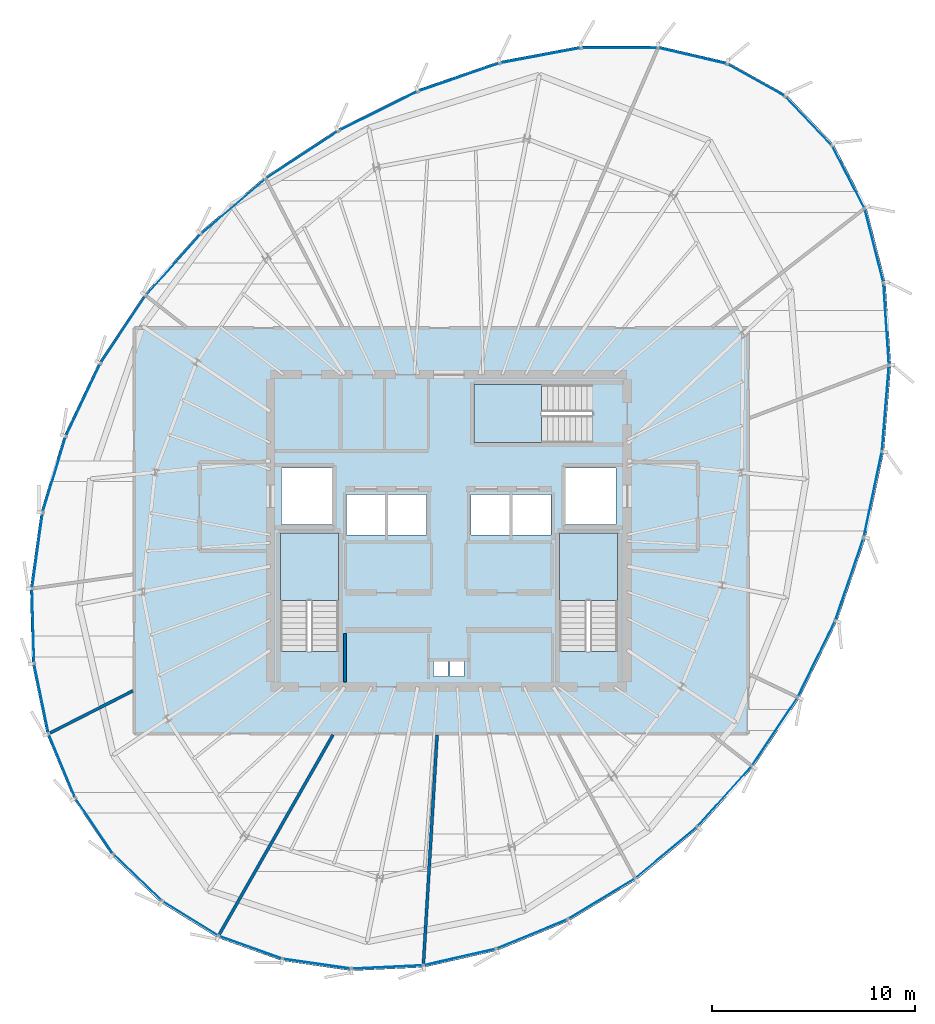
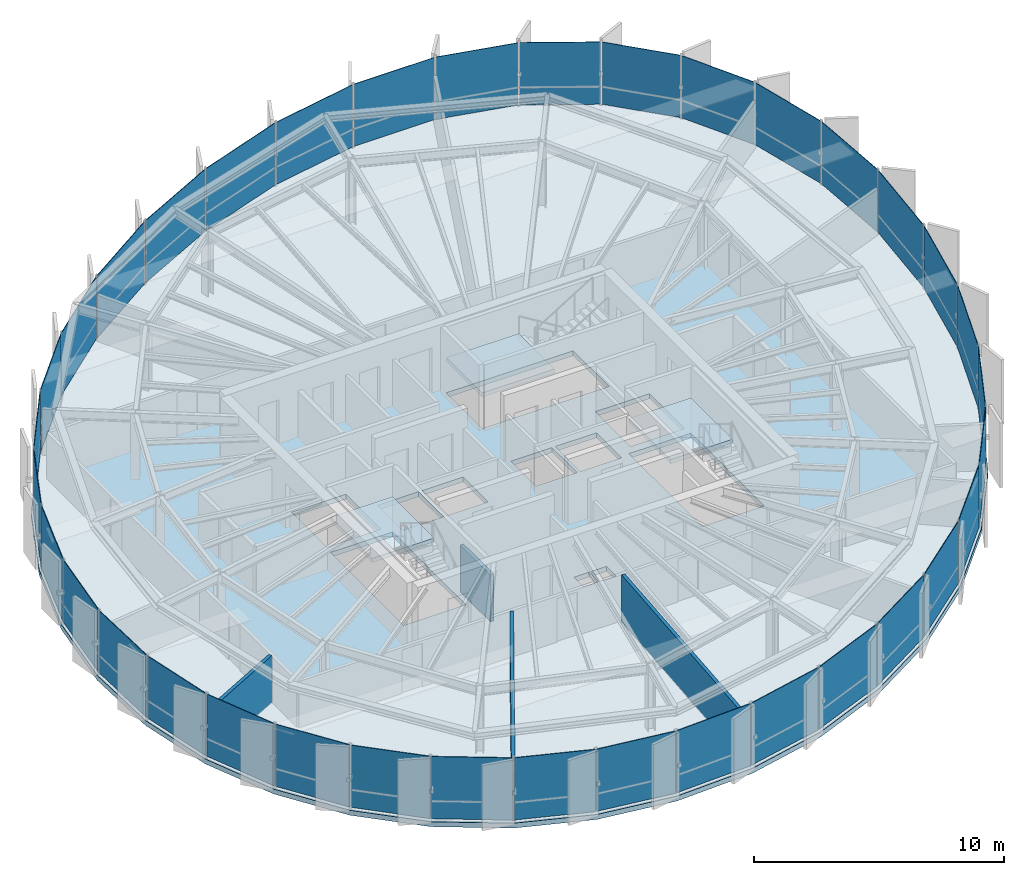
# One storey, part 28 of 35: 36 plates, 4 slabs, 4 walls, 9 elements without a shape of their own.
"""IFC4 building model written with IfcOpenShell, lengths in metres."""

from ifc_helpers import new_model, si_unit, direction, frame, frame_2d, origin, origin_2d, place, context, subcontext, project, spatial, polyline, rectangle, outline, extrude, source, transform, mapped, material, layer, layer_set, type_object, element, aggregate, save


model = new_model("IFC4")

# Units and contexts
model_context = context("Model", 3, precision=1e-05, world=origin(), true_north=direction((0.0, 1.0)))
body_context = subcontext(model_context, "Body", "Model", "MODEL_VIEW")
ifc_project = project(units=[si_unit("LENGTHUNIT", "METRE"), si_unit("AREAUNIT", "SQUARE_METRE"), si_unit("VOLUMEUNIT", "CUBIC_METRE"), si_unit("PLANEANGLEUNIT", "RADIAN"), si_unit("MASSUNIT", "GRAM", prefix="KILO"), si_unit("THERMODYNAMICTEMPERATUREUNIT", "KELVIN")], contexts=[model_context])

# Site, building, storey
site_placement = place(None, origin())
site = spatial("IfcSite", under=ifc_project, at=site_placement, CompositionType="ELEMENT")
building_placement = place(site_placement, origin())
building = spatial("IfcBuilding", under=site, at=building_placement, Name="Kethvar Cultural Tower", CompositionType="ELEMENT")
storey_placement = place(building_placement, frame((0.0, 0.0, 245.64990234375)))
storey = spatial("IfcBuildingStorey", under=building, at=storey_placement, Name="L64", CompositionType="ELEMENT", Elevation=245.64990234375)

# Stair, slab
ifc_material_1 = material(Name="Concrete C40/50", Category="concrete")
stair_type = type_object("IfcStairType", Name="ST-DOGLEG-135", PredefinedType="HALF_TURN_STAIR", material=ifc_material_1)
stair_1_placement = place(storey_placement, origin())
stair_1 = element("IfcStair", 1, at=stair_1_placement, inside=storey, type_object=stair_type, Name="L64 Core Exit Stair 1", PredefinedType="HALF_TURN_STAIR")
ifc_layer_1 = layer(ifc_material_1, 0.199951171875, Name="Concrete C40/50", Category="concrete")
ifc_layer_set_1 = layer_set([ifc_layer_1], Name="Concrete C40/50 (200 mm)")
slab_type_1 = type_object("IfcSlabType", Name="SL-STAIR-LANDING-200", PredefinedType="LANDING", material=ifc_layer_set_1)
slab_1_placement = place(storey_placement, frame((0.0, 0.0, 1.525146484375)))
slab_1 = element("IfcSlab", 2, at=slab_1_placement, type_object=slab_type_1, Name="ST-01 landing 1", PredefinedType="LANDING", context=body_context, shape_type="SweptSolid", body=[
    extrude(outline(polyline([(41.35009765625, 24.3701171875), (41.35009765625, 27.699951171875), (38.489990234375, 27.699951171875), (38.489990234375, 24.3701171875), (41.35009765625, 24.3701171875)])), origin(), (0.0, 0.0, 1.0), 0.199951171875),
])
aggregate(stair_1, [slab_1])

stair_2_placement = place(storey_placement, origin())
stair_2 = element("IfcStair", 3, at=stair_2_placement, inside=storey, type_object=stair_type, Name="L64 Core Exit Stair 2", PredefinedType="HALF_TURN_STAIR")
slab_2_placement = place(storey_placement, frame((0.0, 0.0, 1.525146484375)))
slab_2 = element("IfcSlab", 4, at=slab_2_placement, type_object=slab_type_1, Name="ST-02 landing 1", PredefinedType="LANDING", context=body_context, shape_type="SweptSolid", body=[
    extrude(outline(polyline([(55.110107421875, 24.3701171875), (55.110107421875, 27.699951171875), (52.25, 27.699951171875), (52.25, 24.3701171875), (55.110107421875, 24.3701171875)])), origin(), (0.0, 0.0, 1.0), 0.199951171875),
])
aggregate(stair_2, [slab_2])

stair_3_placement = place(storey_placement, origin())
stair_3 = element("IfcStair", 5, at=stair_3_placement, inside=storey, type_object=stair_type, Name="L64 Core Exit Stair 3", PredefinedType="HALF_TURN_STAIR")
slab_3_placement = place(storey_placement, frame((0.0, 0.0, 1.525146484375)))
slab_3 = element("IfcSlab", 6, at=slab_3_placement, type_object=slab_type_1, Name="ST-03 landing 1", PredefinedType="LANDING", context=body_context, shape_type="SweptSolid", body=[
    extrude(outline(polyline([(51.3798828125, 35.010009765625), (48.050048828125, 35.010009765625), (48.050048828125, 32.14990234375), (51.3798828125, 32.14990234375), (51.3798828125, 35.010009765625)])), origin(), (0.0, 0.0, 1.0), 0.199951171875),
])
aggregate(stair_3, [slab_3])

# Slab
ifc_layer_2 = layer(ifc_material_1, 0.239990234375, Name="Concrete C40/50", Category="concrete")
ifc_layer_set_2 = layer_set([ifc_layer_2], Name="Concrete C40/50 (240 mm)")
slab_type_2 = type_object("IfcSlabType", Name="SL-TOW-240", PredefinedType="FLOOR", material=ifc_layer_set_2)
slab_4_placement = place(storey_placement, frame((0.0, 0.0, -0.239990234375)))
element("IfcSlab", 7, at=slab_4_placement, inside=storey, type_object=slab_type_2, Name="L64 Structural Floor Slab", PredefinedType="FLOOR", context=body_context, shape_type="SweptSolid", body=[
    extrude(outline(polyline([(63.470703125, 49.291748046875), (60.55322265625, 50.918701171875), (57.12060546875, 51.718017578125), (53.3115234375, 51.70947265625), (49.292236328125, 50.95849609375), (45.240234375, 49.5595703125), (41.328857421875, 47.619140625), (37.709716796875, 45.239501953125), (34.500732421875, 42.502197265625), (31.7724609375, 39.45654296875), (29.53173828125, 36.09619140625), (27.815673828125, 32.48388671875), (26.67626953125, 28.729248046875), (26.1484375, 24.9462890625), (26.248046875, 21.25), (26.97216796875, 17.7529296875), (28.298583984375, 14.56103515625), (30.1875, 11.771484375), (32.580810546875, 9.46875), (35.406494140625, 7.72314453125), (38.578125, 6.58740234375), (41.99951171875, 6.096435546875), (45.56689453125, 6.264892578125), (49.171875, 7.08740234375), (52.70458984375, 8.53955078125), (56.05810546875, 10.576904296875), (59.1298828125, 13.137451171875), (61.827392578125, 16.1435546875), (64.09912109375, 19.54345703125), (65.9521484375, 23.332275390625), (67.357177734375, 27.429443359375), (68.263671875, 31.70068359375), (68.611083984375, 35.97314453125), (68.339111328125, 40.052978515625), (67.39990234375, 43.744384765625), (65.772216796875, 46.87060546875), (63.470703125, 49.291748046875)]), holes=[polyline([(38.489990234375, 21.85009765625), (38.489990234375, 27.699951171875), (41.35009765625, 27.699951171875), (41.35009765625, 21.85009765625), (38.489990234375, 21.85009765625)]), polyline([(52.25, 21.85009765625), (52.25, 27.699951171875), (55.110107421875, 27.699951171875), (55.110107421875, 21.85009765625), (52.25, 21.85009765625)]), polyline([(53.89990234375, 32.14990234375), (48.050048828125, 32.14990234375), (48.050048828125, 35.010009765625), (53.89990234375, 35.010009765625), (53.89990234375, 32.14990234375)]), polyline([(41.75, 29.60009765625), (43.64990234375, 29.60009765625), (43.64990234375, 27.60009765625), (41.75, 27.60009765625), (41.75, 29.60009765625)]), polyline([(43.800048828125, 29.60009765625), (45.699951171875, 29.60009765625), (45.699951171875, 27.60009765625), (43.800048828125, 27.60009765625), (43.800048828125, 29.60009765625)]), polyline([(47.89990234375, 29.60009765625), (49.800048828125, 29.60009765625), (49.800048828125, 27.60009765625), (47.89990234375, 27.60009765625), (47.89990234375, 29.60009765625)]), polyline([(49.949951171875, 29.60009765625), (51.85009765625, 29.60009765625), (51.85009765625, 27.60009765625), (49.949951171875, 27.60009765625), (49.949951171875, 29.60009765625)]), polyline([(38.550048828125, 30.89990234375), (41.050048828125, 30.89990234375), (41.050048828125, 28.10009765625), (38.550048828125, 28.10009765625), (38.550048828125, 30.89990234375)]), polyline([(52.550048828125, 30.89990234375), (55.050048828125, 30.89990234375), (55.050048828125, 28.10009765625), (52.550048828125, 28.10009765625), (52.550048828125, 30.89990234375)]), polyline([(46.050048828125, 21.35009765625), (46.75, 21.35009765625), (46.75, 20.60009765625), (46.050048828125, 20.60009765625), (46.050048828125, 21.35009765625)]), polyline([(46.85009765625, 21.35009765625), (47.550048828125, 21.35009765625), (47.550048828125, 20.60009765625), (46.85009765625, 20.60009765625), (46.85009765625, 21.35009765625)])]), origin(), (0.0, 0.0, 1.0), 0.239990234375),
])

# Curtain wall, plate
ifc_material_2 = material(Name="Aluminium 6063-T6", Category="aluminium")
ifc_layer_3 = layer(ifc_material_2, 0.179931640625, Name="Aluminium 6063-T6", Category="aluminium")
ifc_layer_set_3 = layer_set([ifc_layer_3], Name="Aluminium 6063-T6 (180 mm)")
curtain_wall_type = type_object("IfcCurtainWallType", Name="CW-SYS-05-Z56", PredefinedType="NOTDEFINED", material=ifc_layer_set_3)
curtain_wall_1_placement = place(storey_placement, origin())
curtain_wall_1 = element("IfcCurtainWall", 8, at=curtain_wall_1_placement, inside=storey, type_object=curtain_wall_type, Name="L64 Curtain Wall Run 05", PredefinedType="NOTDEFINED")
ifc_material_3 = material(Name="Insulated Low-E Solar Glass", Category="glass")
ifc_layer_4 = layer(ifc_material_3, 0.028076171875, Name="Insulated Low-E Solar Glass", Category="glass")
ifc_layer_set_4 = layer_set([ifc_layer_4], Name="Insulated Low-E Solar Glass (28 mm)")
plate_type = type_object("IfcPlateType", Name="CW-SYS-05-Z56-PNL", PredefinedType="CURTAIN_PANEL", material=ifc_layer_set_4)
shared_shape_1 = source(origin(), body_context, "Body", "SweptSolid", [
    extrude(rectangle(XDim=4.009765625, YDim=0.028076171875, at=origin_2d()), origin(), (0.0, 0.0, 1.0), 3.030029296875),
])
plate_1_placement = place(storey_placement, frame((62.880126953125, 17.89892578125, 0.08984375), z_axis=(0.0, 0.0, 1.0), x_axis=(0.555541208916, 0.831489004856, 0.0)))
plate_1 = element("IfcPlate", 9, at=plate_1_placement, type_object=plate_type, Name="CW-L64-R05 Vision Glazing Panel 4", PredefinedType="CURTAIN_PANEL", context=body_context, shape_type="MappedRepresentation", body=[
    mapped(shared_shape_1, transform((0.0, 0.0, 0.0), scale=1.0)),
])

curtain_wall_2_placement = place(storey_placement, origin())
curtain_wall_2 = element("IfcCurtainWall", 10, at=curtain_wall_2_placement, inside=storey, type_object=curtain_wall_type, Name="L64 Curtain Wall Run 01", PredefinedType="NOTDEFINED")
shared_shape_2 = source(origin(), body_context, "Body", "SweptSolid", [
    extrude(rectangle(XDim=4.009521484375, YDim=0.028076171875, at=origin_2d()), origin(), (0.0, 0.0, 1.0), 3.030029296875),
])
plate_2_placement = place(storey_placement, frame((51.3203125, 51.235595703125, 0.08984375), z_axis=(0.0, 0.0, 1.0), x_axis=(-0.982986679731, -0.183676856113, 0.0)))
plate_2 = element("IfcPlate", 11, at=plate_2_placement, type_object=plate_type, Name="CW-L64-R01 Vision Glazing Panel 4", PredefinedType="CURTAIN_PANEL", context=body_context, shape_type="MappedRepresentation", body=[
    mapped(shared_shape_2, transform((0.0, 0.0, 0.0), scale=1.0)),
])

curtain_wall_3_placement = place(storey_placement, origin())
curtain_wall_3 = element("IfcCurtainWall", 12, at=curtain_wall_3_placement, inside=storey, type_object=curtain_wall_type, Name="L64 Curtain Wall Run 06", PredefinedType="NOTDEFINED")
plate_3_placement = place(storey_placement, frame((68.375244140625, 38.006591796875, 0.08984375), z_axis=(0.0, 0.0, 1.0), x_axis=(-0.066552536547, 0.997782922223, 0.0)))
plate_3 = element("IfcPlate", 13, at=plate_3_placement, type_object=plate_type, Name="CW-L64-R06 Vision Glazing Panel 3", PredefinedType="CURTAIN_PANEL", context=body_context, shape_type="MappedRepresentation", body=[
    mapped(shared_shape_2, transform((0.0, 0.0, 0.0), scale=1.0)),
])

# Plate
shared_shape_3 = source(origin(), body_context, "Body", "SweptSolid", [
    extrude(rectangle(XDim=3.261474609375, YDim=0.028076171875, at=origin_2d()), origin(), (0.0, 0.0, 1.0), 3.030029296875),
])
plate_4_placement = place(storey_placement, frame((61.96337890625, 50.017822265625, 0.08984375), z_axis=(0.0, 0.0, 1.0), x_axis=(-0.873381486405, 0.487036732911, 0.0)))
plate_4 = element("IfcPlate", 14, at=plate_4_placement, type_object=plate_type, Name="CW-L64-R01 Vision Glazing Panel 1", PredefinedType="CURTAIN_PANEL", context=body_context, shape_type="MappedRepresentation", body=[
    mapped(shared_shape_3, transform((0.0, 0.0, 0.0), scale=1.0)),
])

shared_shape_4 = source(origin(), body_context, "Body", "SweptSolid", [
    extrude(rectangle(XDim=3.4453125, YDim=0.028076171875, at=origin_2d()), origin(), (0.0, 0.0, 1.0), 3.030029296875),
])
plate_5_placement = place(storey_placement, frame((58.814208984375, 51.220947265625, 0.08984375), z_axis=(0.0, 0.0, 1.0), x_axis=(-0.973956184513, 0.226736302011, 0.0)))
plate_5 = element("IfcPlate", 15, at=plate_5_placement, type_object=plate_type, Name="CW-L64-R01 Vision Glazing Panel 2", PredefinedType="CURTAIN_PANEL", context=body_context, shape_type="MappedRepresentation", body=[
    mapped(shared_shape_4, transform((0.0, 0.0, 0.0), scale=1.0)),
])

plate_6_placement = place(storey_placement, frame((66.497314453125, 45.26123046875, 0.08984375), z_axis=(0.0, 0.0, 1.0), x_axis=(-0.461826017774, 0.886970534633, 0.0)))
plate_6 = element("IfcPlate", 16, at=plate_6_placement, type_object=plate_type, Name="CW-L64-R06 Vision Glazing Panel 5", PredefinedType="CURTAIN_PANEL", context=body_context, shape_type="MappedRepresentation", body=[
    mapped(shared_shape_4, transform((0.0, 0.0, 0.0), scale=1.0)),
])

shared_shape_5 = source(origin(), body_context, "Body", "SweptSolid", [
    extrude(rectangle(XDim=3.729736328125, YDim=0.028076171875, at=origin_2d()), origin(), (0.0, 0.0, 1.0), 3.030029296875),
])
plate_7_placement = place(storey_placement, frame((55.21630859375, 51.61376953125, 0.08984375), z_axis=(0.0, 0.0, 1.0), x_axis=(-0.999997581948, -0.002199113085, 0.0)))
plate_7 = element("IfcPlate", 17, at=plate_7_placement, type_object=plate_type, Name="CW-L64-R01 Vision Glazing Panel 3", PredefinedType="CURTAIN_PANEL", context=body_context, shape_type="MappedRepresentation", body=[
    mapped(shared_shape_5, transform((0.0, 0.0, 0.0), scale=1.0)),
])

plate_8_placement = place(storey_placement, frame((67.7724609375, 41.8740234375, 0.08984375), z_axis=(0.0, 0.0, 1.0), x_axis=(-0.246542347409, 0.969132019352, 0.0)))
plate_8 = element("IfcPlate", 18, at=plate_8_placement, type_object=plate_type, Name="CW-L64-R06 Vision Glazing Panel 4", PredefinedType="CURTAIN_PANEL", context=body_context, shape_type="MappedRepresentation", body=[
    mapped(shared_shape_5, transform((0.0, 0.0, 0.0), scale=1.0)),
])

shared_shape_6 = source(origin(), body_context, "Body", "SweptSolid", [
    extrude(rectangle(XDim=4.20751953125, YDim=0.028076171875, at=origin_2d()), origin(), (0.0, 0.0, 1.0), 3.030029296875),
])
plate_9_placement = place(storey_placement, frame((47.298828125, 50.16455078125, 0.08984375), z_axis=(0.0, 0.0, 1.0), x_axis=(-0.945245496491, -0.326360155906, 0.0)))
plate_9 = element("IfcPlate", 19, at=plate_9_placement, type_object=plate_type, Name="CW-L64-R01 Vision Glazing Panel 5", PredefinedType="CURTAIN_PANEL", context=body_context, shape_type="MappedRepresentation", body=[
    mapped(shared_shape_6, transform((0.0, 0.0, 0.0), scale=1.0)),
])

shared_shape_7 = source(origin(), body_context, "Body", "SweptSolid", [
    extrude(rectangle(XDim=4.287109375, YDim=0.028076171875, at=origin_2d()), origin(), (0.0, 0.0, 1.0), 3.030029296875),
])
plate_10_placement = place(storey_placement, frame((43.3291015625, 48.499755859375, 0.08984375), z_axis=(0.0, 0.0, 1.0), x_axis=(-0.89582813476, -0.44440066716, 0.0)))
plate_10 = element("IfcPlate", 20, at=plate_10_placement, type_object=plate_type, Name="CW-L64-R01 Vision Glazing Panel 6", PredefinedType="CURTAIN_PANEL", context=body_context, shape_type="MappedRepresentation", body=[
    mapped(shared_shape_7, transform((0.0, 0.0, 0.0), scale=1.0)),
])

aggregate(curtain_wall_2, [plate_4, plate_5, plate_7, plate_2, plate_9, plate_10])

plate_11_placement = place(storey_placement, frame((67.712646484375, 29.5859375, 0.08984375), z_axis=(0.0, 0.0, 1.0), x_axis=(0.207638532375, 0.978205622491, 0.0)))
plate_11 = element("IfcPlate", 21, at=plate_11_placement, type_object=plate_type, Name="CW-L64-R06 Vision Glazing Panel 1", PredefinedType="CURTAIN_PANEL", context=body_context, shape_type="MappedRepresentation", body=[
    mapped(shared_shape_7, transform((0.0, 0.0, 0.0), scale=1.0)),
])

# Curtain wall, plate
curtain_wall_4_placement = place(storey_placement, origin())
curtain_wall_4 = element("IfcCurtainWall", 22, at=curtain_wall_4_placement, inside=storey, type_object=curtain_wall_type, Name="L64 Curtain Wall Run 02", PredefinedType="NOTDEFINED")
shared_shape_8 = source(origin(), body_context, "Body", "SweptSolid", [
    extrude(rectangle(XDim=4.252197265625, YDim=0.028076171875, at=origin_2d()), origin(), (0.0, 0.0, 1.0), 3.030029296875),
])
plate_12_placement = place(storey_placement, frame((39.57421875, 46.345703125, 0.08984375), z_axis=(0.0, 0.0, 1.0), x_axis=(-0.835548547668, -0.549416621964, 0.0)))
plate_12 = element("IfcPlate", 23, at=plate_12_placement, type_object=plate_type, Name="CW-L64-R02 Vision Glazing Panel 1", PredefinedType="CURTAIN_PANEL", context=body_context, shape_type="MappedRepresentation", body=[
    mapped(shared_shape_8, transform((0.0, 0.0, 0.0), scale=1.0)),
])

# Plate
plate_13_placement = place(storey_placement, frame((66.56005859375, 25.413330078125, 0.08984375), z_axis=(0.0, 0.0, 1.0), x_axis=(0.324379724027, 0.945926949949, 0.0)))
plate_13 = element("IfcPlate", 24, at=plate_13_placement, type_object=plate_type, Name="CW-L64-R05 Vision Glazing Panel 6", PredefinedType="CURTAIN_PANEL", context=body_context, shape_type="MappedRepresentation", body=[
    mapped(shared_shape_8, transform((0.0, 0.0, 0.0), scale=1.0)),
])

shared_shape_9 = source(origin(), body_context, "Body", "SweptSolid", [
    extrude(rectangle(XDim=4.138671875, YDim=0.028076171875, at=origin_2d()), origin(), (0.0, 0.0, 1.0), 3.030029296875),
])
plate_14_placement = place(storey_placement, frame((36.170166015625, 43.794921875, 0.08984375), z_axis=(0.0, 0.0, 1.0), x_axis=(-0.760836528587, -0.648943585197, 0.0)))
plate_14 = element("IfcPlate", 25, at=plate_14_placement, type_object=plate_type, Name="CW-L64-R02 Vision Glazing Panel 2", PredefinedType="CURTAIN_PANEL", context=body_context, shape_type="MappedRepresentation", body=[
    mapped(shared_shape_9, transform((0.0, 0.0, 0.0), scale=1.0)),
])

shared_shape_10 = source(origin(), body_context, "Body", "SweptSolid", [
    extrude(rectangle(XDim=4.010009765625, YDim=0.028076171875, at=origin_2d()), origin(), (0.0, 0.0, 1.0), 3.030029296875),
])
plate_15_placement = place(storey_placement, frame((33.211181640625, 40.91259765625, 0.08984375), z_axis=(0.0, 0.0, 1.0), x_axis=(-0.667221768552, -0.744859121963, 0.0)))
plate_15 = element("IfcPlate", 26, at=plate_15_placement, type_object=plate_type, Name="CW-L64-R02 Vision Glazing Panel 3", PredefinedType="CURTAIN_PANEL", context=body_context, shape_type="MappedRepresentation", body=[
    mapped(shared_shape_10, transform((0.0, 0.0, 0.0), scale=1.0)),
])

shared_shape_11 = source(origin(), body_context, "Body", "SweptSolid", [
    extrude(rectangle(XDim=3.959716796875, YDim=0.028076171875, at=origin_2d()), origin(), (0.0, 0.0, 1.0), 3.030029296875),
])
plate_16_placement = place(storey_placement, frame((30.7353515625, 37.720947265625, 0.08984375), z_axis=(0.0, 0.0, 1.0), x_axis=(-0.554800865671, -0.831983172576, 0.0)))
plate_16 = element("IfcPlate", 27, at=plate_16_placement, type_object=plate_type, Name="CW-L64-R02 Vision Glazing Panel 4", PredefinedType="CURTAIN_PANEL", context=body_context, shape_type="MappedRepresentation", body=[
    mapped(shared_shape_11, transform((0.0, 0.0, 0.0), scale=1.0)),
])

plate_17_placement = place(storey_placement, frame((60.404296875, 14.707275390625, 0.08984375), z_axis=(0.0, 0.0, 1.0), x_axis=(0.667871526617, 0.74427657758, 0.0)))
plate_17 = element("IfcPlate", 28, at=plate_17_placement, type_object=plate_type, Name="CW-L64-R05 Vision Glazing Panel 3", PredefinedType="CURTAIN_PANEL", context=body_context, shape_type="MappedRepresentation", body=[
    mapped(shared_shape_11, transform((0.0, 0.0, 0.0), scale=1.0)),
])

shared_shape_12 = source(origin(), body_context, "Body", "SweptSolid", [
    extrude(rectangle(XDim=3.919921875, YDim=0.028076171875, at=origin_2d()), origin(), (0.0, 0.0, 1.0), 3.030029296875),
])
plate_18_placement = place(storey_placement, frame((28.763916015625, 34.2470703125, 0.08984375), z_axis=(0.0, 0.0, 1.0), x_axis=(-0.429108553423, -0.903252926582, 0.0)))
plate_18 = element("IfcPlate", 29, at=plate_18_placement, type_object=plate_type, Name="CW-L64-R02 Vision Glazing Panel 5", PredefinedType="CURTAIN_PANEL", context=body_context, shape_type="MappedRepresentation", body=[
    mapped(shared_shape_12, transform((0.0, 0.0, 0.0), scale=1.0)),
])

shared_shape_13 = source(origin(), body_context, "Body", "SweptSolid", [
    extrude(rectangle(XDim=3.844482421875, YDim=0.028076171875, at=origin_2d()), origin(), (0.0, 0.0, 1.0), 3.030029296875),
])
plate_19_placement = place(storey_placement, frame((27.341796875, 30.57763671875, 0.08984375), z_axis=(0.0, 0.0, 1.0), x_axis=(-0.290368184947, -0.956914999972, 0.0)))
plate_19 = element("IfcPlate", 30, at=plate_19_placement, type_object=plate_type, Name="CW-L64-R02 Vision Glazing Panel 6", PredefinedType="CURTAIN_PANEL", context=body_context, shape_type="MappedRepresentation", body=[
    mapped(shared_shape_13, transform((0.0, 0.0, 0.0), scale=1.0)),
])

aggregate(curtain_wall_4, [plate_12, plate_14, plate_15, plate_16, plate_18, plate_19])

plate_20_placement = place(storey_placement, frame((54.329345703125, 9.643798828125, 0.08984375), z_axis=(0.0, 0.0, 1.0), x_axis=(0.854649186436, 0.519205901473, 0.0)))
plate_20 = element("IfcPlate", 31, at=plate_20_placement, type_object=plate_type, Name="CW-L64-R05 Vision Glazing Panel 1", PredefinedType="CURTAIN_PANEL", context=body_context, shape_type="MappedRepresentation", body=[
    mapped(shared_shape_13, transform((0.0, 0.0, 0.0), scale=1.0)),
])

# Curtain wall, plate
curtain_wall_5_placement = place(storey_placement, origin())
curtain_wall_5 = element("IfcCurtainWall", 32, at=curtain_wall_5_placement, inside=storey, type_object=curtain_wall_type, Name="L64 Curtain Wall Run 03", PredefinedType="NOTDEFINED")
shared_shape_14 = source(origin(), body_context, "Body", "SweptSolid", [
    extrude(rectangle(XDim=3.740478515625, YDim=0.028076171875, at=origin_2d()), origin(), (0.0, 0.0, 1.0), 3.030029296875),
])
plate_21_placement = place(storey_placement, frame((26.511474609375, 26.823974609375, 0.08984375), z_axis=(0.0, 0.0, 1.0), x_axis=(-0.138205162096, -0.990403621343, 0.0)))
plate_21 = element("IfcPlate", 33, at=plate_21_placement, type_object=plate_type, Name="CW-L64-R03 Vision Glazing Panel 1", PredefinedType="CURTAIN_PANEL", context=body_context, shape_type="MappedRepresentation", body=[
    mapped(shared_shape_14, transform((0.0, 0.0, 0.0), scale=1.0)),
])

curtain_wall_6_placement = place(storey_placement, origin())
curtain_wall_6 = element("IfcCurtainWall", 34, at=curtain_wall_6_placement, inside=storey, type_object=curtain_wall_type, Name="L64 Curtain Wall Run 04", PredefinedType="NOTDEFINED")
plate_22_placement = place(storey_placement, frame((50.900146484375, 7.906005859375, 0.08984375), z_axis=(0.0, 0.0, 1.0), x_axis=(0.924918044187, 0.380166557627, 0.0)))
plate_22 = element("IfcPlate", 35, at=plate_22_placement, type_object=plate_type, Name="CW-L64-R04 Vision Glazing Panel 6", PredefinedType="CURTAIN_PANEL", context=body_context, shape_type="MappedRepresentation", body=[
    mapped(shared_shape_14, transform((0.0, 0.0, 0.0), scale=1.0)),
])

# Plate
shared_shape_15 = source(origin(), body_context, "Body", "SweptSolid", [
    extrude(rectangle(XDim=3.618408203125, YDim=0.028076171875, at=origin_2d()), origin(), (0.0, 0.0, 1.0), 3.030029296875),
])
plate_23_placement = place(storey_placement, frame((26.298095703125, 23.100830078125, 0.08984375), z_axis=(0.0, 0.0, 1.0), x_axis=(0.026944622229, -0.999636927756, 0.0)))
plate_23 = element("IfcPlate", 36, at=plate_23_placement, type_object=plate_type, Name="CW-L64-R03 Vision Glazing Panel 2", PredefinedType="CURTAIN_PANEL", context=body_context, shape_type="MappedRepresentation", body=[
    mapped(shared_shape_15, transform((0.0, 0.0, 0.0), scale=1.0)),
])

shared_shape_16 = source(origin(), body_context, "Body", "SweptSolid", [
    extrude(rectangle(XDim=3.491943359375, YDim=0.028076171875, at=origin_2d()), origin(), (0.0, 0.0, 1.0), 3.030029296875),
])
plate_24_placement = place(storey_placement, frame((26.7080078125, 19.52197265625, 0.08984375), z_axis=(0.0, 0.0, 1.0), x_axis=(0.202753113909, -0.979229888637, 0.0)))
plate_24 = element("IfcPlate", 37, at=plate_24_placement, type_object=plate_type, Name="CW-L64-R03 Vision Glazing Panel 3", PredefinedType="CURTAIN_PANEL", context=body_context, shape_type="MappedRepresentation", body=[
    mapped(shared_shape_16, transform((0.0, 0.0, 0.0), scale=1.0)),
])

shared_shape_17 = source(origin(), body_context, "Body", "SweptSolid", [
    extrude(rectangle(XDim=3.37744140625, YDim=0.028076171875, at=origin_2d()), origin(), (0.0, 0.0, 1.0), 3.030029296875),
])
plate_25_placement = place(storey_placement, frame((27.727783203125, 16.1953125, 0.08984375), z_axis=(0.0, 0.0, 1.0), x_axis=(0.383779644895, -0.923424704112, 0.0)))
plate_25 = element("IfcPlate", 38, at=plate_25_placement, type_object=plate_type, Name="CW-L64-R03 Vision Glazing Panel 4", PredefinedType="CURTAIN_PANEL", context=body_context, shape_type="MappedRepresentation", body=[
    mapped(shared_shape_17, transform((0.0, 0.0, 0.0), scale=1.0)),
])

plate_26_placement = place(storey_placement, frame((40.302978515625, 6.44091796875, 0.08984375), z_axis=(0.0, 0.0, 1.0), x_axis=(0.989860694347, -0.142041563588, 0.0)))
plate_26 = element("IfcPlate", 39, at=plate_26_placement, type_object=plate_type, Name="CW-L64-R04 Vision Glazing Panel 3", PredefinedType="CURTAIN_PANEL", context=body_context, shape_type="MappedRepresentation", body=[
    mapped(shared_shape_17, transform((0.0, 0.0, 0.0), scale=1.0)),
])

shared_shape_18 = source(origin(), body_context, "Body", "SweptSolid", [
    extrude(rectangle(XDim=3.289794921875, YDim=0.028076171875, at=origin_2d()), origin(), (0.0, 0.0, 1.0), 3.030029296875),
])
plate_27_placement = place(storey_placement, frame((29.325927734375, 13.222412109375, 0.08984375), z_axis=(0.0, 0.0, 1.0), x_axis=(0.560624542099, -0.828070119493, 0.0)))
plate_27 = element("IfcPlate", 40, at=plate_27_placement, type_object=plate_type, Name="CW-L64-R03 Vision Glazing Panel 5", PredefinedType="CURTAIN_PANEL", context=body_context, shape_type="MappedRepresentation", body=[
    mapped(shared_shape_18, transform((0.0, 0.0, 0.0), scale=1.0)),
])

plate_28_placement = place(storey_placement, frame((37.02587890625, 7.24951171875, 0.08984375), z_axis=(0.0, 0.0, 1.0), x_axis=(0.941464661246, -0.337111690133, 0.0)))
plate_28 = element("IfcPlate", 41, at=plate_28_placement, type_object=plate_type, Name="CW-L64-R04 Vision Glazing Panel 2", PredefinedType="CURTAIN_PANEL", context=body_context, shape_type="MappedRepresentation", body=[
    mapped(shared_shape_18, transform((0.0, 0.0, 0.0), scale=1.0)),
])

shared_shape_19 = source(origin(), body_context, "Body", "SweptSolid", [
    extrude(rectangle(XDim=3.2421875, YDim=0.028076171875, at=origin_2d()), origin(), (0.0, 0.0, 1.0), 3.030029296875),
])
plate_29_placement = place(storey_placement, frame((31.45361328125, 10.692138671875, 0.08984375), z_axis=(0.0, 0.0, 1.0), x_axis=(0.720660022095, -0.693288635818, 0.0)))
plate_29 = element("IfcPlate", 42, at=plate_29_placement, type_object=plate_type, Name="CW-L64-R03 Vision Glazing Panel 6", PredefinedType="CURTAIN_PANEL", context=body_context, shape_type="MappedRepresentation", body=[
    mapped(shared_shape_19, transform((0.0, 0.0, 0.0), scale=1.0)),
])

aggregate(curtain_wall_5, [plate_21, plate_23, plate_24, plate_25, plate_27, plate_29])

plate_30_placement = place(storey_placement, frame((34.046142578125, 8.68115234375, 0.08984375), z_axis=(0.0, 0.0, 1.0), x_axis=(0.850737731447, -0.525590441591, 0.0)))
plate_30 = element("IfcPlate", 43, at=plate_30_placement, type_object=plate_type, Name="CW-L64-R04 Vision Glazing Panel 1", PredefinedType="CURTAIN_PANEL", context=body_context, shape_type="MappedRepresentation", body=[
    mapped(shared_shape_19, transform((0.0, 0.0, 0.0), scale=1.0)),
])

shared_shape_20 = source(origin(), body_context, "Body", "SweptSolid", [
    extrude(rectangle(XDim=3.4921875, YDim=0.028076171875, at=origin_2d()), origin(), (0.0, 0.0, 1.0), 3.030029296875),
])
plate_31_placement = place(storey_placement, frame((43.778564453125, 6.280517578125, 0.08984375), z_axis=(0.0, 0.0, 1.0), x_axis=(0.998889052647, 0.04712388462, 0.0)))
plate_31 = element("IfcPlate", 44, at=plate_31_placement, type_object=plate_type, Name="CW-L64-R04 Vision Glazing Panel 4", PredefinedType="CURTAIN_PANEL", context=body_context, shape_type="MappedRepresentation", body=[
    mapped(shared_shape_20, transform((0.0, 0.0, 0.0), scale=1.0)),
])

shared_shape_21 = source(origin(), body_context, "Body", "SweptSolid", [
    extrude(rectangle(XDim=3.6181640625, YDim=0.028076171875, at=origin_2d()), origin(), (0.0, 0.0, 1.0), 3.030029296875),
])
plate_32_placement = place(storey_placement, frame((47.34716796875, 6.773681640625, 0.08984375), z_axis=(0.0, 0.0, 1.0), x_axis=(0.974932350528, 0.222501487395, 0.0)))
plate_32 = element("IfcPlate", 45, at=plate_32_placement, type_object=plate_type, Name="CW-L64-R04 Vision Glazing Panel 5", PredefinedType="CURTAIN_PANEL", context=body_context, shape_type="MappedRepresentation", body=[
    mapped(shared_shape_21, transform((0.0, 0.0, 0.0), scale=1.0)),
])

aggregate(curtain_wall_6, [plate_30, plate_28, plate_26, plate_31, plate_32, plate_22])

shared_shape_22 = source(origin(), body_context, "Body", "SweptSolid", [
    extrude(rectangle(XDim=3.920166015625, YDim=0.028076171875, at=origin_2d()), origin(), (0.0, 0.0, 1.0), 3.030029296875),
])
plate_33_placement = place(storey_placement, frame((57.530029296875, 11.933837890625, 0.08984375), z_axis=(0.0, 0.0, 1.0), x_axis=(0.768149442482, 0.64027059437, 0.0)))
plate_33 = element("IfcPlate", 46, at=plate_33_placement, type_object=plate_type, Name="CW-L64-R05 Vision Glazing Panel 2", PredefinedType="CURTAIN_PANEL", context=body_context, shape_type="MappedRepresentation", body=[
    mapped(shared_shape_22, transform((0.0, 0.0, 0.0), scale=1.0)),
])

shared_shape_23 = source(origin(), body_context, "Body", "SweptSolid", [
    extrude(rectangle(XDim=4.138427734375, YDim=0.028076171875, at=origin_2d()), origin(), (0.0, 0.0, 1.0), 3.030029296875),
])
plate_34_placement = place(storey_placement, frame((64.935791015625, 21.48193359375, 0.08984375), z_axis=(0.0, 0.0, 1.0), x_axis=(0.439343478699, 0.898319156939, 0.0)))
plate_34 = element("IfcPlate", 47, at=plate_34_placement, type_object=plate_type, Name="CW-L64-R05 Vision Glazing Panel 5", PredefinedType="CURTAIN_PANEL", context=body_context, shape_type="MappedRepresentation", body=[
    mapped(shared_shape_23, transform((0.0, 0.0, 0.0), scale=1.0)),
])

aggregate(curtain_wall_1, [plate_20, plate_33, plate_17, plate_1, plate_34, plate_13])

shared_shape_24 = source(origin(), body_context, "Body", "SweptSolid", [
    extrude(rectangle(XDim=4.207275390625, YDim=0.028076171875, at=origin_2d()), origin(), (0.0, 0.0, 1.0), 3.030029296875),
])
plate_35_placement = place(storey_placement, frame((68.337646484375, 33.84521484375, 0.08984375), z_axis=(0.0, 0.0, 1.0), x_axis=(0.081051351491, 0.99670992692, 0.0)))
plate_35 = element("IfcPlate", 48, at=plate_35_placement, type_object=plate_type, Name="CW-L64-R06 Vision Glazing Panel 2", PredefinedType="CURTAIN_PANEL", context=body_context, shape_type="MappedRepresentation", body=[
    mapped(shared_shape_24, transform((0.0, 0.0, 0.0), scale=1.0)),
])

shared_shape_25 = source(origin(), body_context, "Body", "SweptSolid", [
    extrude(rectangle(XDim=3.26123046875, YDim=0.028076171875, at=origin_2d()), origin(), (0.0, 0.0, 1.0), 3.030029296875),
])
plate_36_placement = place(storey_placement, frame((64.549072265625, 48.01220703125, 0.08984375), z_axis=(0.0, 0.0, 1.0), x_axis=(-0.688936721655, 0.724821490821, 0.0)))
plate_36 = element("IfcPlate", 49, at=plate_36_placement, type_object=plate_type, Name="CW-L64-R06 Vision Glazing Panel 6", PredefinedType="CURTAIN_PANEL", context=body_context, shape_type="MappedRepresentation", body=[
    mapped(shared_shape_25, transform((0.0, 0.0, 0.0), scale=1.0)),
])

aggregate(curtain_wall_3, [plate_11, plate_35, plate_3, plate_8, plate_6, plate_36])

# Walls
ifc_material_4 = material(Name="Gypsum Fireboard Partition")
ifc_layer_5 = layer(ifc_material_4, 0.14990234375, Name="Gypsum Fireboard Partition")
ifc_layer_set_5 = layer_set([ifc_layer_5], Name="Gypsum Fireboard Partition (150 mm)")
wall_type_1 = type_object("IfcWallType", Name="WL-FIRE-150", PredefinedType="PARTITIONING", material=ifc_layer_set_5)
wall_1_placement = place(storey_placement, frame((41.679931640625, 20.3349609375, 0.0), z_axis=(0.0, 0.0, 1.0), x_axis=(0.0, 1.0, 0.0)))
element("IfcWall", 50, at=wall_1_placement, inside=storey, type_object=wall_type_1, Name="L64 Reclaimed West Outer Wall", PredefinedType="PARTITIONING", context=body_context, shape_type="SweptSolid", body=[
    extrude(rectangle(XDim=2.39501953125, YDim=0.14990234375, at=frame_2d((1.197509765625, 0.0))), origin(), (0.0, 0.0, 1.0), 2.280029296875),
])
ifc_material_5 = material(Name="Gypsum Acoustic Partition")
ifc_layer_6 = layer(ifc_material_5, 0.14990234375, Name="Gypsum Acoustic Partition")
ifc_layer_set_6 = layer_set([ifc_layer_6], Name="Gypsum Acoustic Partition (150 mm)")
wall_type_2 = type_object("IfcWallType", Name="WL-PART-150", PredefinedType="PARTITIONING", material=ifc_layer_set_6)
wall_2_placement = place(storey_placement, frame((31.21875, 19.90478515625, 0.0), z_axis=(0.0, 0.0, 1.0), x_axis=(-0.891296966011, -0.453420024238, 0.0)))
element("IfcWall", 51, at=wall_2_placement, inside=storey, type_object=wall_type_2, Name="L64 Radial Partition Wall 02", PredefinedType="PARTITIONING", context=body_context, shape_type="SweptSolid", body=[
    extrude(rectangle(XDim=4.57080078125, YDim=0.14990234375, at=frame_2d((2.285400390625, 0.0))), origin(), (0.0, 0.0, 1.0), 2.280029296875),
])
wall_3_placement = place(storey_placement, frame((41.08935546875, 17.737548828125, 0.0), z_axis=(0.0, 0.0, 1.0), x_axis=(-0.494854670014, -0.86897575085, 0.0)))
element("IfcWall", 52, at=wall_3_placement, inside=storey, type_object=wall_type_2, Name="L64 Radial Partition Wall 03", PredefinedType="PARTITIONING", context=body_context, shape_type="SweptSolid", body=[
    extrude(rectangle(XDim=11.325927734375, YDim=0.14990234375, at=frame_2d((5.6630859375, 0.0))), origin(), (0.0, 0.0, 1.0), 2.280029296875),
])
wall_4_placement = place(storey_placement, frame((46.22314453125, 17.72705078125, 0.0), z_axis=(0.0, 0.0, 1.0), x_axis=(-0.059592486855, -0.998222788515, 0.0)))
element("IfcWall", 53, at=wall_4_placement, inside=storey, type_object=wall_type_2, Name="L64 Radial Partition Wall 04", PredefinedType="PARTITIONING", context=body_context, shape_type="SweptSolid", body=[
    extrude(rectangle(XDim=11.294921875, YDim=0.14990234375, at=frame_2d((5.6474609375, 0.0))), origin(), (0.0, 0.0, 1.0), 2.280029296875),
])

save(model, "model.ifc")
